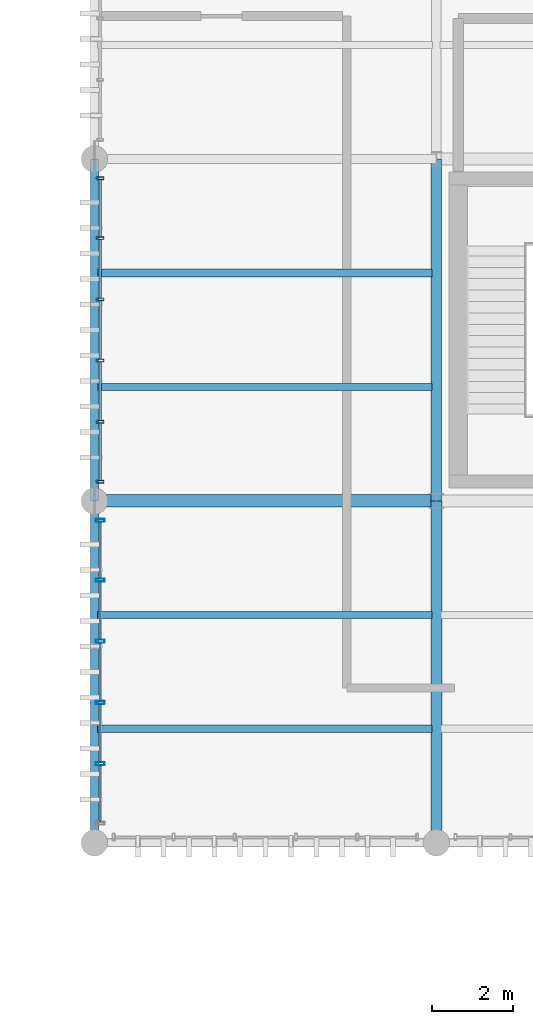
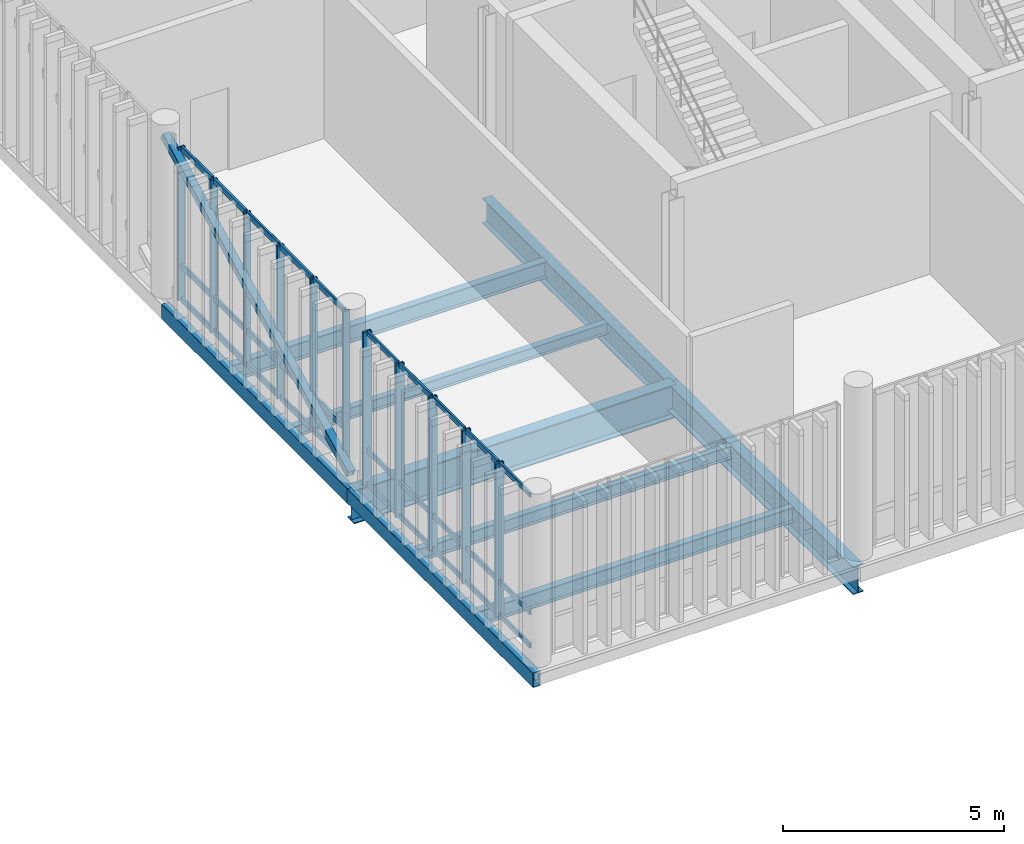
# One storey, part 48 of 86: 42 members, 9 beams, 2 elements without a shape of their own.
"""IFC4 building model written with IfcOpenShell, lengths in metres."""

import ifcopenshell
import ifcopenshell.guid

model = None  # the IFC model being written
_history = None  # IfcOwnerHistory: only IFC2X3 demands one
_inside = {}  # id of a spatial element -> (the spatial element, [elements in it])
_under = {}  # id of a project, library or spatial element -> (it, [spatial elements below it])
_declared = {}  # id of a project -> (the project, [libraries it declares])
_typed = {}  # id of a type object -> (the type object, [elements of that type])
_made_of = {}  # id of a material, layer set ... -> (it, [elements and type objects made of it])


def new_model(schema):
    """Start an empty IFC model of exactly this schema.

    Asked for "IFC4X3", IfcOpenShell would pick the latest addendum, in which some entities
    have other attributes; the version numbers below select the first issue.
    IFC2X3 requires an IfcOwnerHistory on every rooted entity: one is made here for all.
    """
    global model, _history
    if schema == "IFC4X3":
        model = ifcopenshell.file(schema_version=(4, 3, 0, 0))
    else:
        model = ifcopenshell.file(schema=schema)
    _inside.clear()
    _under.clear()
    _declared.clear()
    _typed.clear()
    _made_of.clear()
    _history = None
    if model.schema == "IFC2X3":
        org = make("IfcOrganization", Name="unknown")
        user = make(
            "IfcPersonAndOrganization",
            ThePerson=make("IfcPerson", FamilyName="unknown"),
            TheOrganization=org,
        )
        app = make(
            "IfcApplication",
            ApplicationDeveloper=org,
            Version="unknown",
            ApplicationFullName="unknown",
            ApplicationIdentifier="unknown",
        )
        _history = make(
            "IfcOwnerHistory",
            OwningUser=user,
            OwningApplication=app,
            ChangeAction="ADDED",
            CreationDate=0,
        )
    return model


def make(cls, **values):
    """One entity of the class cls with the attributes given. An attribute that is None is left unset."""
    return model.create_entity(
        cls, **{name: value for name, value in values.items() if value is not None}
    )


def rooted(cls, **values):
    """An entity with a GlobalId (a new one), such as an element, a storey or a relation."""
    return make(cls, GlobalId=ifcopenshell.guid.new(), OwnerHistory=_history, **values)


def si_unit(unit_type, name, prefix=None):
    """IfcSIUnit, for example si_unit("LENGTHUNIT", "METRE", prefix="MILLI")."""
    return make("IfcSIUnit", UnitType=unit_type, Prefix=prefix, Name=name)


def assignment(units):
    """IfcUnitAssignment: the units of a project."""
    return None if units is None else make("IfcUnitAssignment", Units=units)


def point(xyz):
    """IfcCartesianPoint."""
    return None if xyz is None else make("IfcCartesianPoint", Coordinates=xyz)


def direction(xyz):
    """IfcDirection."""
    return None if xyz is None else make("IfcDirection", DirectionRatios=xyz)


def frame(location, z_axis=None, x_axis=None):
    """IfcAxis2Placement3D, a coordinate frame: its origin and axes. An axis left out is left unset."""
    return make(
        "IfcAxis2Placement3D",
        Location=point(location),
        Axis=direction(z_axis),
        RefDirection=direction(x_axis),
    )


def frame_2d(location, x_axis=None):
    """IfcAxis2Placement2D, a coordinate frame in the plane: its origin and x axis."""
    return make(
        "IfcAxis2Placement2D", Location=point(location), RefDirection=direction(x_axis)
    )


def origin_with_axes():
    """The frame at (0, 0, 0) with the z axis (0, 0, 1) and the x axis (1, 0, 0) written out."""
    return frame((0.0, 0.0, 0.0), z_axis=(0.0, 0.0, 1.0), x_axis=(1.0, 0.0, 0.0))


def origin_2d_with_axis():
    """The frame at (0, 0) in the plane with the x axis (1, 0) written out."""
    return frame_2d((0.0, 0.0), x_axis=(1.0, 0.0))


def place(relative_to, where):
    """IfcLocalPlacement: puts the frame where relative to a parent placement (None: the world)."""
    return make(
        "IfcLocalPlacement", PlacementRelTo=relative_to, RelativePlacement=where
    )


def context(
    kind, dimensions, precision=None, world=None, true_north=None, identifier=None
):
    """IfcGeometricRepresentationContext, for example the 3D "Model" context."""
    return make(
        "IfcGeometricRepresentationContext",
        ContextIdentifier=identifier,
        ContextType=kind,
        CoordinateSpaceDimension=dimensions,
        Precision=precision,
        WorldCoordinateSystem=world,
        TrueNorth=true_north,
    )


def subcontext(parent, identifier, kind, view, scale=None):
    """IfcGeometricRepresentationSubContext, for example "Body" below "Model"."""
    return make(
        "IfcGeometricRepresentationSubContext",
        ContextIdentifier=identifier,
        ContextType=kind,
        ParentContext=parent,
        TargetScale=scale,
        TargetView=view,
    )


def project(units=None, contexts=None):
    """IfcProject with its units and contexts."""
    return rooted(
        "IfcProject",
        Name="project",
        RepresentationContexts=contexts,
        UnitsInContext=assignment(units),
    )


def spatial(cls, under=None, at=None, **own):
    """A site, building, storey or space (cls), placed at a placement, below another one or the project."""
    s = rooted(cls, ObjectPlacement=at, **own)
    if under is not None:
        _under.setdefault(under.id(), (under, []))[1].append(s)
    return s


def profile(cls, at=None, kind="AREA", **sizes):
    """A parametric profile (cls). Its sizes go by their IFC names, for example OverallWidth=200.0."""
    return make(cls, ProfileType=kind, Position=at, **sizes)


def hollow_rectangle(**sizes):
    """IfcRectangleHollowProfileDef."""
    return profile("IfcRectangleHollowProfileDef", **sizes)


def i_section(**sizes):
    """IfcIShapeProfileDef."""
    return profile("IfcIShapeProfileDef", **sizes)


def extrude(swept, where, along, depth):
    """IfcExtrudedAreaSolid: the profile swept, set in the frame where, extruded along a direction by depth."""
    return make(
        "IfcExtrudedAreaSolid",
        SweptArea=swept,
        Position=where,
        ExtrudedDirection=direction(along),
        Depth=depth,
    )


def shape(context_of_items, identifier, shape_type, items):
    """IfcShapeRepresentation: the items that make up one representation, for example the "Body"."""
    return make(
        "IfcShapeRepresentation",
        ContextOfItems=context_of_items,
        RepresentationIdentifier=identifier,
        RepresentationType=shape_type,
        Items=items,
    )


def material(Name=None, Category=None):
    """IfcMaterial."""
    return make("IfcMaterial", Name=Name, Category=Category)


def material_profile(
    of_material, cross_section, Name=None, Category=None, Priority=None
):
    """IfcMaterialProfile: a cross section and its material."""
    return make(
        "IfcMaterialProfile",
        Name=Name,
        Material=of_material,
        Profile=cross_section,
        Priority=Priority,
        Category=Category,
    )


def profile_set(profiles, Name=None, composite=None):
    """IfcMaterialProfileSet."""
    return make(
        "IfcMaterialProfileSet",
        Name=Name,
        MaterialProfiles=profiles,
        CompositeProfile=composite,
    )


def made_of(thing, what):
    """Note that an element or type object is made of a material, layer set ...; save() writes the relation."""
    if what is not None:
        _made_of.setdefault(what.id(), (what, []))[1].append(thing)
    return thing


def type_object(cls, material=None, **own):
    """A type object (cls), such as IfcWallType, which elements share."""
    return made_of(rooted(cls, **own), material)


def element(
    cls,
    number,
    at=None,
    inside=None,
    cuts=None,
    type_object=None,
    material=None,
    context=None,
    identifier="Body",
    shape_type=None,
    held_by="IfcProductDefinitionShape",
    body=None,
    shapes=None,
    **own,
):
    """One element of the class cls, such as IfcWall. Its Tag is "e" and its number.

    at: its placement. inside: the storey or other place that contains it. cuts: it is an
    opening in that element (IfcRelVoidsElement). A single representation is given by context,
    identifier, shape_type and body (its items); several are given by shapes. held_by: the class
    of the entity that holds the representations. save() writes the other relations.
    """
    e = rooted(cls, Tag="e%d" % number, ObjectPlacement=at, **own)
    if body is not None:
        shapes = [shape(context, identifier, shape_type, body)]
    if shapes is not None:
        e.Representation = make(held_by, Representations=shapes)
    if inside is not None:
        _inside.setdefault(inside.id(), (inside, []))[1].append(e)
    if cuts is not None:
        rooted(
            "IfcRelVoidsElement", RelatingBuildingElement=cuts, RelatedOpeningElement=e
        )
    if type_object is not None:
        _typed.setdefault(type_object.id(), (type_object, []))[1].append(e)
    return made_of(e, material)


def aggregate(whole, parts):
    """IfcRelAggregates: a whole, such as a stair, and the parts it consists of."""
    return rooted("IfcRelAggregates", RelatingObject=whole, RelatedObjects=parts)


def save(model, path):
    """Write the relations noted so far, then the file.

    IfcRelAggregates (storeys below a building ...), IfcRelContainedInSpatialStructure (elements
    in a storey), IfcRelDefinesByType, IfcRelAssociatesMaterial and IfcRelDeclares: one each for
    every whole, place, type object, material and project.
    """
    for whole, parts in _under.values():
        aggregate(whole, parts)
    for where, things in _inside.values():
        rooted(
            "IfcRelContainedInSpatialStructure",
            RelatedElements=things,
            RelatingStructure=where,
        )
    for kind, things in _typed.values():
        rooted("IfcRelDefinesByType", RelatedObjects=things, RelatingType=kind)
    for what, things in _made_of.values():
        rooted("IfcRelAssociatesMaterial", RelatedObjects=things, RelatingMaterial=what)
    for by, libraries in _declared.values():
        rooted("IfcRelDeclares", RelatingContext=by, RelatedDefinitions=libraries)
    model.write(path)


model = new_model("IFC4")

# Units and contexts
model_context = context("Model", 3, precision=1e-05, world=origin_with_axes(), true_north=direction((0.0, 1.0)))
body_context = subcontext(model_context, "Body", "Model", "MODEL_VIEW")
ifc_project = project(units=[si_unit("LENGTHUNIT", "METRE"), si_unit("AREAUNIT", "SQUARE_METRE"), si_unit("VOLUMEUNIT", "CUBIC_METRE"), si_unit("PLANEANGLEUNIT", "RADIAN"), si_unit("MASSUNIT", "GRAM", prefix="KILO"), si_unit("THERMODYNAMICTEMPERATUREUNIT", "KELVIN")], contexts=[model_context])

# Site, building, storey
site_placement = place(None, origin_with_axes())
site = spatial("IfcSite", under=ifc_project, at=site_placement, CompositionType="ELEMENT")
building_placement = place(site_placement, origin_with_axes())
building = spatial("IfcBuilding", under=site, at=building_placement, Name="Montbau Bow Law Courts", CompositionType="ELEMENT")
storey_placement = place(building_placement, frame((0.0, 0.0, 29.7), z_axis=(0.0, 0.0, 1.0), x_axis=(1.0, 0.0, 0.0)))
storey = spatial("IfcBuildingStorey", under=building, at=storey_placement, Name="L06", CompositionType="ELEMENT", Elevation=29.7)

# Beams
ifc_material_1 = material(Name="Steel CSA G40.21 Grade 350W (350 MPa)", Category="steel")
ifc_material_profile_1 = material_profile(ifc_material_1, i_section(OverallWidth=0.306, OverallDepth=0.919, WebThickness=0.0173, FlangeThickness=0.0279, at=origin_2d_with_axis()), Name="W920X253", Category="Main", Priority=0)
ifc_profile_set_1 = profile_set([ifc_material_profile_1], Name="Steel CSA G40.21 Grade 350W (350 MPa)")
beam_type_1 = type_object("IfcBeamType", Name="B-FLR-01", PredefinedType="BEAM", material=ifc_profile_set_1)
beam_1_placement = place(None, frame((138.6, 86.4, 28.901), z_axis=(1.0, 0.0, 0.0), x_axis=(0.0, 1.0, 0.0)))
element("IfcBeam", 1, at=beam_1_placement, inside=storey, type_object=beam_type_1, Name="BM-L06-S1302:bm2_1305", PredefinedType="BEAM", context=body_context, shape_type="SweptSolid", body=[
    extrude(i_section(OverallWidth=0.306, OverallDepth=0.919, WebThickness=0.0173, FlangeThickness=0.0279, at=origin_2d_with_axis()), origin_with_axes(), (0.0, 0.0, 1.0), 8.4),
])
ifc_material_profile_2 = material_profile(ifc_material_1, i_section(OverallWidth=0.267, OverallDepth=0.766, WebThickness=0.0149, FlangeThickness=0.0236, at=origin_2d_with_axis()), Name="W760X185", Category="Main", Priority=0)
ifc_profile_set_2 = profile_set([ifc_material_profile_2], Name="Steel CSA G40.21 Grade 350W (350 MPa)")
beam_type_2 = type_object("IfcBeamType", Name="B-FLR-03", PredefinedType="BEAM", material=ifc_profile_set_2)
beam_2_placement = place(None, frame((147.0, 78.0, 28.977), z_axis=(0.0, 1.0, 0.0), x_axis=(-1.0, 0.0, 0.0)))
element("IfcBeam", 2, at=beam_2_placement, inside=storey, type_object=beam_type_2, Name="BM-L06-S1322:bm2_1325", PredefinedType="BEAM", context=body_context, shape_type="SweptSolid", body=[
    extrude(i_section(OverallWidth=0.267, OverallDepth=0.766, WebThickness=0.0149, FlangeThickness=0.0236, at=origin_2d_with_axis()), origin_with_axes(), (0.0, 0.0, 1.0), 8.4),
])
ifc_material_profile_3 = material_profile(ifc_material_1, i_section(OverallWidth=0.254, OverallDepth=0.688, WebThickness=0.0131, FlangeThickness=0.0211, at=origin_2d_with_axis()), Name="W690X152", Category="Main", Priority=0)
ifc_profile_set_3 = profile_set([ifc_material_profile_3], Name="Steel CSA G40.21 Grade 350W (350 MPa)")
beam_type_3 = type_object("IfcBeamType", Name="B-FLR-04", PredefinedType="BEAM", material=ifc_profile_set_3)
beam_3_placement = place(None, frame((147.0, 86.4, 29.016), z_axis=(0.0, 1.0, 0.0), x_axis=(-1.0, 0.0, 0.0)))
element("IfcBeam", 3, at=beam_3_placement, inside=storey, type_object=beam_type_3, Name="BM-L06-S1323:bm2_1326", PredefinedType="BEAM", context=body_context, shape_type="SweptSolid", body=[
    extrude(i_section(OverallWidth=0.254, OverallDepth=0.688, WebThickness=0.0131, FlangeThickness=0.0211, at=origin_2d_with_axis()), origin_with_axes(), (0.0, 0.0, 1.0), 8.4),
])
ifc_material_profile_4 = material_profile(ifc_material_1, i_section(OverallWidth=0.191, OverallDepth=0.46, WebThickness=0.0099, FlangeThickness=0.016, at=origin_2d_with_axis()), Name="W460X82", Category="Main", Priority=0)
ifc_profile_set_4 = profile_set([ifc_material_profile_4], Name="Steel CSA G40.21 Grade 350W (350 MPa)")
beam_type_4 = type_object("IfcBeamType", Name="B-JST-01", PredefinedType="JOIST", material=ifc_profile_set_4)
beam_4_placement = place(None, frame((138.68, 92.0, 29.13), z_axis=(1.0, 0.0, 0.0), x_axis=(0.0, 1.0, 0.0)))
element("IfcBeam", 4, at=beam_4_placement, inside=storey, type_object=beam_type_4, Name="JST-L06-S0712:jst2_0712", PredefinedType="JOIST", context=body_context, shape_type="SweptSolid", body=[
    extrude(i_section(OverallWidth=0.191, OverallDepth=0.46, WebThickness=0.0099, FlangeThickness=0.016, at=origin_2d_with_axis()), origin_with_axes(), (0.0, 0.0, 1.0), 8.217),
])
ifc_material_profile_5 = material_profile(ifc_material_1, i_section(OverallWidth=0.179, OverallDepth=0.41, WebThickness=0.0088, FlangeThickness=0.0144, at=origin_2d_with_axis()), Name="W410X67", Category="Main", Priority=0)
ifc_profile_set_5 = profile_set([ifc_material_profile_5], Name="Steel CSA G40.21 Grade 350W (350 MPa)")
beam_type_5 = type_object("IfcBeamType", Name="B-JST-02", PredefinedType="JOIST", material=ifc_profile_set_5)
beam_5_placement = place(None, frame((138.68, 80.8, 29.155), z_axis=(1.0, 0.0, 0.0), x_axis=(0.0, 1.0, 0.0)))
element("IfcBeam", 5, at=beam_5_placement, inside=storey, type_object=beam_type_5, Name="JST-L06-S0709:jst2_0709", PredefinedType="JOIST", context=body_context, shape_type="SweptSolid", body=[
    extrude(i_section(OverallWidth=0.179, OverallDepth=0.41, WebThickness=0.0088, FlangeThickness=0.0144, at=origin_2d_with_axis()), origin_with_axes(), (0.0, 0.0, 1.0), 8.211),
])
ifc_material_profile_6 = material_profile(ifc_material_1, i_section(OverallWidth=0.172, OverallDepth=0.358, WebThickness=0.0079, FlangeThickness=0.0131, at=origin_2d_with_axis()), Name="W360X57", Category="Main", Priority=0)
ifc_profile_set_6 = profile_set([ifc_material_profile_6], Name="Steel CSA G40.21 Grade 350W (350 MPa)")
beam_type_6 = type_object("IfcBeamType", Name="B-JST-03", PredefinedType="JOIST", material=ifc_profile_set_6)
beam_6_placement = place(None, frame((138.68, 83.6, 29.181), z_axis=(1.0, 0.0, 0.0), x_axis=(0.0, 1.0, 0.0)))
element("IfcBeam", 6, at=beam_6_placement, inside=storey, type_object=beam_type_6, Name="JST-L06-S0710:jst2_0710", PredefinedType="JOIST", context=body_context, shape_type="SweptSolid", body=[
    extrude(i_section(OverallWidth=0.172, OverallDepth=0.358, WebThickness=0.0079, FlangeThickness=0.0131, at=origin_2d_with_axis()), origin_with_axes(), (0.0, 0.0, 1.0), 8.211),
])
ifc_material_profile_7 = material_profile(ifc_material_1, i_section(OverallWidth=0.166, OverallDepth=0.313, WebThickness=0.0066, FlangeThickness=0.0112, at=origin_2d_with_axis()), Name="W310X45", Category="Main", Priority=0)
ifc_profile_set_7 = profile_set([ifc_material_profile_7], Name="Steel CSA G40.21 Grade 350W (350 MPa)")
beam_type_7 = type_object("IfcBeamType", Name="B-JST-04", PredefinedType="JOIST", material=ifc_profile_set_7)
beam_7_placement = place(None, frame((138.68, 89.2, 29.203), z_axis=(1.0, 0.0, 0.0), x_axis=(0.0, 1.0, 0.0)))
element("IfcBeam", 7, at=beam_7_placement, inside=storey, type_object=beam_type_7, Name="JST-L06-S0711:jst2_0711", PredefinedType="JOIST", context=body_context, shape_type="SweptSolid", body=[
    extrude(i_section(OverallWidth=0.166, OverallDepth=0.313, WebThickness=0.0066, FlangeThickness=0.0112, at=origin_2d_with_axis()), origin_with_axes(), (0.0, 0.0, 1.0), 8.217),
])
ifc_material_2 = material(Name="Steel CSA G40.21 Grade 350WT (350 MPa)", Category="steel")
ifc_material_profile_8 = material_profile(ifc_material_2, hollow_rectangle(XDim=0.203, YDim=0.406, WallThickness=0.0127, InnerFilletRadius=0.0254, OuterFilletRadius=0.0127, at=origin_2d_with_axis()), Name="HSS406X203X13", Category="Main", Priority=0)
ifc_profile_set_8 = profile_set([ifc_material_profile_8], Name="Steel CSA G40.21 Grade 350WT (350 MPa)")
beam_type_8 = type_object("IfcBeamType", Name="B-SPN-01", PredefinedType="SPANDREL", material=ifc_profile_set_8)
for number, where, z_axis, x_axis, name in (
    (8, (138.6, 78.0, 29.157), (0.0, 1.0, 0.0), (-1.0, 0.0, 0.0), "SPN-L06-S1318:bm2_1321"),
    (9, (138.6, 86.4, 29.157), (0.0, 1.0, 0.0), (-1.0, 0.0, 0.0), "SPN-L06-S1319:bm2_1322"),
):
    element("IfcBeam", number, at=place(None, frame(where, z_axis=z_axis, x_axis=x_axis)), inside=storey, type_object=beam_type_8, Name=name, PredefinedType="SPANDREL", context=body_context, shape_type="SweptSolid", body=[
        extrude(hollow_rectangle(XDim=0.203, YDim=0.406, WallThickness=0.0127, InnerFilletRadius=0.0254, OuterFilletRadius=0.0127, at=origin_2d_with_axis()), origin_with_axes(), (0.0, 0.0, 1.0), 8.4),
    ])

# Member
ifc_material_profile_9 = material_profile(ifc_material_1, hollow_rectangle(XDim=0.203, YDim=0.203, WallThickness=0.0111, InnerFilletRadius=0.0222, OuterFilletRadius=0.0111, at=origin_2d_with_axis()), Name="HSS203X203X11", Category="Main", Priority=0)
ifc_profile_set_9 = profile_set([ifc_material_profile_9], Name="Steel CSA G40.21 Grade 350W (350 MPa)")
member_type_1 = type_object("IfcMemberType", Name="M-BRC-02", PredefinedType="BRACE", material=ifc_profile_set_9)
member_1_placement = place(None, frame((138.6, 86.4, 29.75), z_axis=(0.0, 0.89199296, 0.452049289), x_axis=(-1.0, 0.0, 0.0)))
element("IfcMember", 10, at=member_1_placement, inside=storey, type_object=member_type_1, Name="Diagonal brace CBF-L06-064A", PredefinedType="BRACE", context=body_context, shape_type="SweptSolid", body=[
    extrude(hollow_rectangle(XDim=0.203, YDim=0.203, WallThickness=0.0111, InnerFilletRadius=0.0222, OuterFilletRadius=0.0111, at=origin_2d_with_axis()), origin_with_axes(), (0.0, 0.0, 1.0), 9.417115),
])

# Curtain wall, members
ifc_material_3 = material(Name="Thermally Broken Extruded Aluminium AA 6063-T6", Category="aluminium")
curtain_wall_type = type_object("IfcCurtainWallType", Name="CW-SLT-02", PredefinedType="NOTDEFINED", material=ifc_material_3)
curtain_wall_1_placement = place(None, frame((138.74, 78.44, 29.7), z_axis=(0.0, 0.0, 1.0), x_axis=(1.0, 0.0, 0.0)))
curtain_wall_1 = element("IfcCurtainWall", 11, at=curtain_wall_1_placement, inside=storey, type_object=curtain_wall_type, Name="CW-L06-357:cw_0357", PredefinedType="NOTDEFINED")
ifc_material_profile_10 = material_profile(ifc_material_3, hollow_rectangle(XDim=0.075, YDim=0.22, WallThickness=0.005, InnerFilletRadius=0.01, OuterFilletRadius=0.005, at=origin_2d_with_axis()), Name="CWM-220X75", Category="Main", Priority=0)
ifc_profile_set_10 = profile_set([ifc_material_profile_10], Name="Thermally Broken Extruded Aluminium AA 6063-T6")
member_type_2 = type_object("IfcMemberType", Name="M-MUL-01", PredefinedType="MULLION", material=ifc_profile_set_10)
member_2_placement = place(None, frame((138.74, 79.944, 29.7), z_axis=(0.0, 0.0, 1.0), x_axis=(0.0, 1.0, 0.0)))
member_2 = element("IfcMember", 12, at=member_2_placement, type_object=member_type_2, Name="CW-L06-357-M02:cw_0357_M02", PredefinedType="MULLION", context=body_context, shape_type="SweptSolid", body=[
    extrude(hollow_rectangle(XDim=0.075, YDim=0.22, WallThickness=0.005, InnerFilletRadius=0.01, OuterFilletRadius=0.005, at=origin_2d_with_axis()), origin_with_axes(), (0.0, 0.0, 1.0), 4.22),
])
member_3_placement = place(None, frame((138.74, 81.448, 29.7), z_axis=(0.0, 0.0, 1.0), x_axis=(0.0, 1.0, 0.0)))
member_3 = element("IfcMember", 13, at=member_3_placement, type_object=member_type_2, Name="CW-L06-357-M03:cw_0357_M03", PredefinedType="MULLION", context=body_context, shape_type="SweptSolid", body=[
    extrude(hollow_rectangle(XDim=0.075, YDim=0.22, WallThickness=0.005, InnerFilletRadius=0.01, OuterFilletRadius=0.005, at=origin_2d_with_axis()), origin_with_axes(), (0.0, 0.0, 1.0), 4.22),
])
member_4_placement = place(None, frame((138.74, 82.952, 29.7), z_axis=(0.0, 0.0, 1.0), x_axis=(0.0, 1.0, 0.0)))
member_4 = element("IfcMember", 14, at=member_4_placement, type_object=member_type_2, Name="CW-L06-357-M04:cw_0357_M04", PredefinedType="MULLION", context=body_context, shape_type="SweptSolid", body=[
    extrude(hollow_rectangle(XDim=0.075, YDim=0.22, WallThickness=0.005, InnerFilletRadius=0.01, OuterFilletRadius=0.005, at=origin_2d_with_axis()), origin_with_axes(), (0.0, 0.0, 1.0), 4.22),
])
member_5_placement = place(None, frame((138.74, 84.456, 29.7), z_axis=(0.0, 0.0, 1.0), x_axis=(0.0, 1.0, 0.0)))
member_5 = element("IfcMember", 15, at=member_5_placement, type_object=member_type_2, Name="CW-L06-357-M05:cw_0357_M05", PredefinedType="MULLION", context=body_context, shape_type="SweptSolid", body=[
    extrude(hollow_rectangle(XDim=0.075, YDim=0.22, WallThickness=0.005, InnerFilletRadius=0.01, OuterFilletRadius=0.005, at=origin_2d_with_axis()), origin_with_axes(), (0.0, 0.0, 1.0), 4.22),
])
member_6_placement = place(None, frame((138.74, 85.922, 29.7), z_axis=(0.0, 0.0, 1.0), x_axis=(0.0, 1.0, 0.0)))
member_6 = element("IfcMember", 16, at=member_6_placement, type_object=member_type_2, Name="CW-L06-357-M06:cw_0357_M06", PredefinedType="MULLION", context=body_context, shape_type="SweptSolid", body=[
    extrude(hollow_rectangle(XDim=0.075, YDim=0.22, WallThickness=0.005, InnerFilletRadius=0.01, OuterFilletRadius=0.005, at=origin_2d_with_axis()), origin_with_axes(), (0.0, 0.0, 1.0), 4.22),
])

curtain_wall_2_placement = place(None, frame((138.74, 86.84, 29.7), z_axis=(0.0, 0.0, 1.0), x_axis=(1.0, 0.0, 0.0)))
curtain_wall_2 = element("IfcCurtainWall", 17, at=curtain_wall_2_placement, inside=storey, type_object=curtain_wall_type, Name="CW-L06-358:cw_0358", PredefinedType="NOTDEFINED")
ifc_material_profile_11 = material_profile(ifc_material_3, hollow_rectangle(XDim=0.065, YDim=0.18, WallThickness=0.005, InnerFilletRadius=0.01, OuterFilletRadius=0.005, at=origin_2d_with_axis()), Name="CWM-180X65", Category="Main", Priority=0)
ifc_profile_set_11 = profile_set([ifc_material_profile_11], Name="Thermally Broken Extruded Aluminium AA 6063-T6")
member_type_3 = type_object("IfcMemberType", Name="M-MUL-02", PredefinedType="MULLION", material=ifc_profile_set_11)
member_7_placement = place(None, frame((138.74, 86.873, 29.7), z_axis=(0.0, 0.0, 1.0), x_axis=(0.0, 1.0, 0.0)))
member_7 = element("IfcMember", 18, at=member_7_placement, type_object=member_type_3, Name="CW-L06-358-M01:cw_0358_M01", PredefinedType="MULLION", context=body_context, shape_type="SweptSolid", body=[
    extrude(hollow_rectangle(XDim=0.065, YDim=0.18, WallThickness=0.005, InnerFilletRadius=0.01, OuterFilletRadius=0.005, at=origin_2d_with_axis()), origin_with_axes(), (0.0, 0.0, 1.0), 4.22),
])
member_8_placement = place(None, frame((138.74, 88.344, 29.7), z_axis=(0.0, 0.0, 1.0), x_axis=(0.0, 1.0, 0.0)))
member_8 = element("IfcMember", 19, at=member_8_placement, type_object=member_type_3, Name="CW-L06-358-M02:cw_0358_M02", PredefinedType="MULLION", context=body_context, shape_type="SweptSolid", body=[
    extrude(hollow_rectangle(XDim=0.065, YDim=0.18, WallThickness=0.005, InnerFilletRadius=0.01, OuterFilletRadius=0.005, at=origin_2d_with_axis()), origin_with_axes(), (0.0, 0.0, 1.0), 4.22),
])
member_9_placement = place(None, frame((138.74, 89.848, 29.7), z_axis=(0.0, 0.0, 1.0), x_axis=(0.0, 1.0, 0.0)))
member_9 = element("IfcMember", 20, at=member_9_placement, type_object=member_type_3, Name="CW-L06-358-M03:cw_0358_M03", PredefinedType="MULLION", context=body_context, shape_type="SweptSolid", body=[
    extrude(hollow_rectangle(XDim=0.065, YDim=0.18, WallThickness=0.005, InnerFilletRadius=0.01, OuterFilletRadius=0.005, at=origin_2d_with_axis()), origin_with_axes(), (0.0, 0.0, 1.0), 4.22),
])
member_10_placement = place(None, frame((138.74, 91.352, 29.7), z_axis=(0.0, 0.0, 1.0), x_axis=(0.0, 1.0, 0.0)))
member_10 = element("IfcMember", 21, at=member_10_placement, type_object=member_type_3, Name="CW-L06-358-M04:cw_0358_M04", PredefinedType="MULLION", context=body_context, shape_type="SweptSolid", body=[
    extrude(hollow_rectangle(XDim=0.065, YDim=0.18, WallThickness=0.005, InnerFilletRadius=0.01, OuterFilletRadius=0.005, at=origin_2d_with_axis()), origin_with_axes(), (0.0, 0.0, 1.0), 4.22),
])
member_11_placement = place(None, frame((138.74, 92.856, 29.7), z_axis=(0.0, 0.0, 1.0), x_axis=(0.0, 1.0, 0.0)))
member_11 = element("IfcMember", 22, at=member_11_placement, type_object=member_type_3, Name="CW-L06-358-M05:cw_0358_M05", PredefinedType="MULLION", context=body_context, shape_type="SweptSolid", body=[
    extrude(hollow_rectangle(XDim=0.065, YDim=0.18, WallThickness=0.005, InnerFilletRadius=0.01, OuterFilletRadius=0.005, at=origin_2d_with_axis()), origin_with_axes(), (0.0, 0.0, 1.0), 4.22),
])
member_12_placement = place(None, frame((138.74, 94.327, 29.7), z_axis=(0.0, 0.0, 1.0), x_axis=(0.0, 1.0, 0.0)))
member_12 = element("IfcMember", 23, at=member_12_placement, type_object=member_type_3, Name="CW-L06-358-M06:cw_0358_M06", PredefinedType="MULLION", context=body_context, shape_type="SweptSolid", body=[
    extrude(hollow_rectangle(XDim=0.065, YDim=0.18, WallThickness=0.005, InnerFilletRadius=0.01, OuterFilletRadius=0.005, at=origin_2d_with_axis()), origin_with_axes(), (0.0, 0.0, 1.0), 4.22),
])
ifc_material_profile_12 = material_profile(ifc_material_3, hollow_rectangle(XDim=0.06, YDim=0.16, WallThickness=0.004, InnerFilletRadius=0.008, OuterFilletRadius=0.004, at=origin_2d_with_axis()), Name="CWT-160X60", Category="Main", Priority=0)
ifc_profile_set_12 = profile_set([ifc_material_profile_12], Name="Thermally Broken Extruded Aluminium AA 6063-T6")
member_type_4 = type_object("IfcMemberType", Name="M-TRN-01", PredefinedType="USERDEFINED", material=ifc_profile_set_12)
member_13_placement = place(None, frame((138.74, 86.908, 29.73), z_axis=(0.0, 1.0, 0.0), x_axis=(-1.0, 0.0, 0.0)))
member_13 = element("IfcMember", 24, at=member_13_placement, type_object=member_type_4, Name="CW-L06-358-T01-1:cw_0358_T01_1", ObjectType="TRANSOM", PredefinedType="USERDEFINED", context=body_context, shape_type="SweptSolid", body=[
    extrude(hollow_rectangle(XDim=0.06, YDim=0.16, WallThickness=0.004, InnerFilletRadius=0.008, OuterFilletRadius=0.004, at=origin_2d_with_axis()), origin_with_axes(), (0.0, 0.0, 1.0), 1.402),
])
member_14_placement = place(None, frame((138.74, 86.908, 30.65), z_axis=(0.0, 1.0, 0.0), x_axis=(-1.0, 0.0, 0.0)))
member_14 = element("IfcMember", 25, at=member_14_placement, type_object=member_type_4, Name="CW-L06-358-T01-2:cw_0358_T01_2", ObjectType="TRANSOM", PredefinedType="USERDEFINED", context=body_context, shape_type="SweptSolid", body=[
    extrude(hollow_rectangle(XDim=0.06, YDim=0.16, WallThickness=0.004, InnerFilletRadius=0.008, OuterFilletRadius=0.004, at=origin_2d_with_axis()), origin_with_axes(), (0.0, 0.0, 1.0), 1.402),
])
member_15_placement = place(None, frame((138.74, 86.908, 33.89), z_axis=(0.0, 1.0, 0.0), x_axis=(-1.0, 0.0, 0.0)))
member_15 = element("IfcMember", 26, at=member_15_placement, type_object=member_type_4, Name="CW-L06-358-T01-3:cw_0358_T01_3", ObjectType="TRANSOM", PredefinedType="USERDEFINED", context=body_context, shape_type="SweptSolid", body=[
    extrude(hollow_rectangle(XDim=0.06, YDim=0.16, WallThickness=0.004, InnerFilletRadius=0.008, OuterFilletRadius=0.004, at=origin_2d_with_axis()), origin_with_axes(), (0.0, 0.0, 1.0), 1.402),
])
member_16_placement = place(None, frame((138.74, 88.378, 29.73), z_axis=(0.0, 1.0, 0.0), x_axis=(-1.0, 0.0, 0.0)))
member_16 = element("IfcMember", 27, at=member_16_placement, type_object=member_type_4, Name="CW-L06-358-T02-1:cw_0358_T02_1", ObjectType="TRANSOM", PredefinedType="USERDEFINED", context=body_context, shape_type="SweptSolid", body=[
    extrude(hollow_rectangle(XDim=0.06, YDim=0.16, WallThickness=0.004, InnerFilletRadius=0.008, OuterFilletRadius=0.004, at=origin_2d_with_axis()), origin_with_axes(), (0.0, 0.0, 1.0), 1.436),
])
member_17_placement = place(None, frame((138.74, 88.378, 30.65), z_axis=(0.0, 1.0, 0.0), x_axis=(-1.0, 0.0, 0.0)))
member_17 = element("IfcMember", 28, at=member_17_placement, type_object=member_type_4, Name="CW-L06-358-T02-2:cw_0358_T02_2", ObjectType="TRANSOM", PredefinedType="USERDEFINED", context=body_context, shape_type="SweptSolid", body=[
    extrude(hollow_rectangle(XDim=0.06, YDim=0.16, WallThickness=0.004, InnerFilletRadius=0.008, OuterFilletRadius=0.004, at=origin_2d_with_axis()), origin_with_axes(), (0.0, 0.0, 1.0), 1.436),
])
member_18_placement = place(None, frame((138.74, 88.378, 33.89), z_axis=(0.0, 1.0, 0.0), x_axis=(-1.0, 0.0, 0.0)))
member_18 = element("IfcMember", 29, at=member_18_placement, type_object=member_type_4, Name="CW-L06-358-T02-3:cw_0358_T02_3", ObjectType="TRANSOM", PredefinedType="USERDEFINED", context=body_context, shape_type="SweptSolid", body=[
    extrude(hollow_rectangle(XDim=0.06, YDim=0.16, WallThickness=0.004, InnerFilletRadius=0.008, OuterFilletRadius=0.004, at=origin_2d_with_axis()), origin_with_axes(), (0.0, 0.0, 1.0), 1.436),
])
member_19_placement = place(None, frame((138.74, 89.882, 29.73), z_axis=(0.0, 1.0, 0.0), x_axis=(-1.0, 0.0, 0.0)))
member_19 = element("IfcMember", 30, at=member_19_placement, type_object=member_type_4, Name="CW-L06-358-T03-1:cw_0358_T03_1", ObjectType="TRANSOM", PredefinedType="USERDEFINED", context=body_context, shape_type="SweptSolid", body=[
    extrude(hollow_rectangle(XDim=0.06, YDim=0.16, WallThickness=0.004, InnerFilletRadius=0.008, OuterFilletRadius=0.004, at=origin_2d_with_axis()), origin_with_axes(), (0.0, 0.0, 1.0), 1.436),
])
member_20_placement = place(None, frame((138.74, 89.882, 30.65), z_axis=(0.0, 1.0, 0.0), x_axis=(-1.0, 0.0, 0.0)))
member_20 = element("IfcMember", 31, at=member_20_placement, type_object=member_type_4, Name="CW-L06-358-T03-2:cw_0358_T03_2", ObjectType="TRANSOM", PredefinedType="USERDEFINED", context=body_context, shape_type="SweptSolid", body=[
    extrude(hollow_rectangle(XDim=0.06, YDim=0.16, WallThickness=0.004, InnerFilletRadius=0.008, OuterFilletRadius=0.004, at=origin_2d_with_axis()), origin_with_axes(), (0.0, 0.0, 1.0), 1.436),
])
member_21_placement = place(None, frame((138.74, 89.882, 33.89), z_axis=(0.0, 1.0, 0.0), x_axis=(-1.0, 0.0, 0.0)))
member_21 = element("IfcMember", 32, at=member_21_placement, type_object=member_type_4, Name="CW-L06-358-T03-3:cw_0358_T03_3", ObjectType="TRANSOM", PredefinedType="USERDEFINED", context=body_context, shape_type="SweptSolid", body=[
    extrude(hollow_rectangle(XDim=0.06, YDim=0.16, WallThickness=0.004, InnerFilletRadius=0.008, OuterFilletRadius=0.004, at=origin_2d_with_axis()), origin_with_axes(), (0.0, 0.0, 1.0), 1.436),
])
member_22_placement = place(None, frame((138.74, 91.386, 29.73), z_axis=(0.0, 1.0, 0.0), x_axis=(-1.0, 0.0, 0.0)))
member_22 = element("IfcMember", 33, at=member_22_placement, type_object=member_type_4, Name="CW-L06-358-T04-1:cw_0358_T04_1", ObjectType="TRANSOM", PredefinedType="USERDEFINED", context=body_context, shape_type="SweptSolid", body=[
    extrude(hollow_rectangle(XDim=0.06, YDim=0.16, WallThickness=0.004, InnerFilletRadius=0.008, OuterFilletRadius=0.004, at=origin_2d_with_axis()), origin_with_axes(), (0.0, 0.0, 1.0), 1.436),
])
member_23_placement = place(None, frame((138.74, 91.386, 30.65), z_axis=(0.0, 1.0, 0.0), x_axis=(-1.0, 0.0, 0.0)))
member_23 = element("IfcMember", 34, at=member_23_placement, type_object=member_type_4, Name="CW-L06-358-T04-2:cw_0358_T04_2", ObjectType="TRANSOM", PredefinedType="USERDEFINED", context=body_context, shape_type="SweptSolid", body=[
    extrude(hollow_rectangle(XDim=0.06, YDim=0.16, WallThickness=0.004, InnerFilletRadius=0.008, OuterFilletRadius=0.004, at=origin_2d_with_axis()), origin_with_axes(), (0.0, 0.0, 1.0), 1.436),
])
member_24_placement = place(None, frame((138.74, 91.386, 33.89), z_axis=(0.0, 1.0, 0.0), x_axis=(-1.0, 0.0, 0.0)))
member_24 = element("IfcMember", 35, at=member_24_placement, type_object=member_type_4, Name="CW-L06-358-T04-3:cw_0358_T04_3", ObjectType="TRANSOM", PredefinedType="USERDEFINED", context=body_context, shape_type="SweptSolid", body=[
    extrude(hollow_rectangle(XDim=0.06, YDim=0.16, WallThickness=0.004, InnerFilletRadius=0.008, OuterFilletRadius=0.004, at=origin_2d_with_axis()), origin_with_axes(), (0.0, 0.0, 1.0), 1.436),
])
member_25_placement = place(None, frame((138.74, 92.89, 29.73), z_axis=(0.0, 1.0, 0.0), x_axis=(-1.0, 0.0, 0.0)))
member_25 = element("IfcMember", 36, at=member_25_placement, type_object=member_type_4, Name="CW-L06-358-T05-1:cw_0358_T05_1", ObjectType="TRANSOM", PredefinedType="USERDEFINED", context=body_context, shape_type="SweptSolid", body=[
    extrude(hollow_rectangle(XDim=0.06, YDim=0.16, WallThickness=0.004, InnerFilletRadius=0.008, OuterFilletRadius=0.004, at=origin_2d_with_axis()), origin_with_axes(), (0.0, 0.0, 1.0), 1.403),
])
member_26_placement = place(None, frame((138.74, 92.89, 30.65), z_axis=(0.0, 1.0, 0.0), x_axis=(-1.0, 0.0, 0.0)))
member_26 = element("IfcMember", 37, at=member_26_placement, type_object=member_type_4, Name="CW-L06-358-T05-2:cw_0358_T05_2", ObjectType="TRANSOM", PredefinedType="USERDEFINED", context=body_context, shape_type="SweptSolid", body=[
    extrude(hollow_rectangle(XDim=0.06, YDim=0.16, WallThickness=0.004, InnerFilletRadius=0.008, OuterFilletRadius=0.004, at=origin_2d_with_axis()), origin_with_axes(), (0.0, 0.0, 1.0), 1.403),
])
member_27_placement = place(None, frame((138.74, 92.89, 33.89), z_axis=(0.0, 1.0, 0.0), x_axis=(-1.0, 0.0, 0.0)))
member_27 = element("IfcMember", 38, at=member_27_placement, type_object=member_type_4, Name="CW-L06-358-T05-3:cw_0358_T05_3", ObjectType="TRANSOM", PredefinedType="USERDEFINED", context=body_context, shape_type="SweptSolid", body=[
    extrude(hollow_rectangle(XDim=0.06, YDim=0.16, WallThickness=0.004, InnerFilletRadius=0.008, OuterFilletRadius=0.004, at=origin_2d_with_axis()), origin_with_axes(), (0.0, 0.0, 1.0), 1.403),
])
aggregate(curtain_wall_2, [member_7, member_8, member_9, member_10, member_11, member_12, member_13, member_14, member_15, member_16, member_17, member_18, member_19, member_20, member_21, member_22, member_23, member_24, member_25, member_26, member_27])

# Member
ifc_material_profile_13 = material_profile(ifc_material_3, hollow_rectangle(XDim=0.055, YDim=0.14, WallThickness=0.004, InnerFilletRadius=0.008, OuterFilletRadius=0.004, at=origin_2d_with_axis()), Name="CWT-140X55", Category="Main", Priority=0)
ifc_profile_set_13 = profile_set([ifc_material_profile_13], Name="Thermally Broken Extruded Aluminium AA 6063-T6")
member_type_5 = type_object("IfcMemberType", Name="M-TRN-02", PredefinedType="USERDEFINED", material=ifc_profile_set_13)
member_28_placement = place(None, frame((138.74, 78.516, 29.727), z_axis=(0.0, 1.0, 0.0), x_axis=(-1.0, 0.0, 0.0)))
member_28 = element("IfcMember", 39, at=member_28_placement, type_object=member_type_5, Name="CW-L06-357-T01-1:cw_0357_T01_1", ObjectType="TRANSOM", PredefinedType="USERDEFINED", context=body_context, shape_type="SweptSolid", body=[
    extrude(hollow_rectangle(XDim=0.055, YDim=0.14, WallThickness=0.004, InnerFilletRadius=0.008, OuterFilletRadius=0.004, at=origin_2d_with_axis()), origin_with_axes(), (0.0, 0.0, 1.0), 1.388),
])

member_29_placement = place(None, frame((138.74, 78.516, 30.65), z_axis=(0.0, 1.0, 0.0), x_axis=(-1.0, 0.0, 0.0)))
member_29 = element("IfcMember", 40, at=member_29_placement, type_object=member_type_5, Name="CW-L06-357-T01-2:cw_0357_T01_2", ObjectType="TRANSOM", PredefinedType="USERDEFINED", context=body_context, shape_type="SweptSolid", body=[
    extrude(hollow_rectangle(XDim=0.055, YDim=0.14, WallThickness=0.004, InnerFilletRadius=0.008, OuterFilletRadius=0.004, at=origin_2d_with_axis()), origin_with_axes(), (0.0, 0.0, 1.0), 1.388),
])

member_30_placement = place(None, frame((138.74, 78.516, 33.892), z_axis=(0.0, 1.0, 0.0), x_axis=(-1.0, 0.0, 0.0)))
member_30 = element("IfcMember", 41, at=member_30_placement, type_object=member_type_5, Name="CW-L06-357-T01-3:cw_0357_T01_3", ObjectType="TRANSOM", PredefinedType="USERDEFINED", context=body_context, shape_type="SweptSolid", body=[
    extrude(hollow_rectangle(XDim=0.055, YDim=0.14, WallThickness=0.004, InnerFilletRadius=0.008, OuterFilletRadius=0.004, at=origin_2d_with_axis()), origin_with_axes(), (0.0, 0.0, 1.0), 1.388),
])

member_31_placement = place(None, frame((138.74, 79.984, 29.727), z_axis=(0.0, 1.0, 0.0), x_axis=(-1.0, 0.0, 0.0)))
member_31 = element("IfcMember", 42, at=member_31_placement, type_object=member_type_5, Name="CW-L06-357-T02-1:cw_0357_T02_1", ObjectType="TRANSOM", PredefinedType="USERDEFINED", context=body_context, shape_type="SweptSolid", body=[
    extrude(hollow_rectangle(XDim=0.055, YDim=0.14, WallThickness=0.004, InnerFilletRadius=0.008, OuterFilletRadius=0.004, at=origin_2d_with_axis()), origin_with_axes(), (0.0, 0.0, 1.0), 1.425),
])

member_32_placement = place(None, frame((138.74, 79.984, 30.65), z_axis=(0.0, 1.0, 0.0), x_axis=(-1.0, 0.0, 0.0)))
member_32 = element("IfcMember", 43, at=member_32_placement, type_object=member_type_5, Name="CW-L06-357-T02-2:cw_0357_T02_2", ObjectType="TRANSOM", PredefinedType="USERDEFINED", context=body_context, shape_type="SweptSolid", body=[
    extrude(hollow_rectangle(XDim=0.055, YDim=0.14, WallThickness=0.004, InnerFilletRadius=0.008, OuterFilletRadius=0.004, at=origin_2d_with_axis()), origin_with_axes(), (0.0, 0.0, 1.0), 1.425),
])

member_33_placement = place(None, frame((138.74, 79.984, 33.892), z_axis=(0.0, 1.0, 0.0), x_axis=(-1.0, 0.0, 0.0)))
member_33 = element("IfcMember", 44, at=member_33_placement, type_object=member_type_5, Name="CW-L06-357-T02-3:cw_0357_T02_3", ObjectType="TRANSOM", PredefinedType="USERDEFINED", context=body_context, shape_type="SweptSolid", body=[
    extrude(hollow_rectangle(XDim=0.055, YDim=0.14, WallThickness=0.004, InnerFilletRadius=0.008, OuterFilletRadius=0.004, at=origin_2d_with_axis()), origin_with_axes(), (0.0, 0.0, 1.0), 1.425),
])

member_34_placement = place(None, frame((138.74, 81.487, 29.727), z_axis=(0.0, 1.0, 0.0), x_axis=(-1.0, 0.0, 0.0)))
member_34 = element("IfcMember", 45, at=member_34_placement, type_object=member_type_5, Name="CW-L06-357-T03-1:cw_0357_T03_1", ObjectType="TRANSOM", PredefinedType="USERDEFINED", context=body_context, shape_type="SweptSolid", body=[
    extrude(hollow_rectangle(XDim=0.055, YDim=0.14, WallThickness=0.004, InnerFilletRadius=0.008, OuterFilletRadius=0.004, at=origin_2d_with_axis()), origin_with_axes(), (0.0, 0.0, 1.0), 1.426),
])

member_35_placement = place(None, frame((138.74, 81.487, 30.65), z_axis=(0.0, 1.0, 0.0), x_axis=(-1.0, 0.0, 0.0)))
member_35 = element("IfcMember", 46, at=member_35_placement, type_object=member_type_5, Name="CW-L06-357-T03-2:cw_0357_T03_2", ObjectType="TRANSOM", PredefinedType="USERDEFINED", context=body_context, shape_type="SweptSolid", body=[
    extrude(hollow_rectangle(XDim=0.055, YDim=0.14, WallThickness=0.004, InnerFilletRadius=0.008, OuterFilletRadius=0.004, at=origin_2d_with_axis()), origin_with_axes(), (0.0, 0.0, 1.0), 1.426),
])

member_36_placement = place(None, frame((138.74, 81.487, 33.892), z_axis=(0.0, 1.0, 0.0), x_axis=(-1.0, 0.0, 0.0)))
member_36 = element("IfcMember", 47, at=member_36_placement, type_object=member_type_5, Name="CW-L06-357-T03-3:cw_0357_T03_3", ObjectType="TRANSOM", PredefinedType="USERDEFINED", context=body_context, shape_type="SweptSolid", body=[
    extrude(hollow_rectangle(XDim=0.055, YDim=0.14, WallThickness=0.004, InnerFilletRadius=0.008, OuterFilletRadius=0.004, at=origin_2d_with_axis()), origin_with_axes(), (0.0, 0.0, 1.0), 1.426),
])

member_37_placement = place(None, frame((138.74, 82.991, 29.727), z_axis=(0.0, 1.0, 0.0), x_axis=(-1.0, 0.0, 0.0)))
member_37 = element("IfcMember", 48, at=member_37_placement, type_object=member_type_5, Name="CW-L06-357-T04-1:cw_0357_T04_1", ObjectType="TRANSOM", PredefinedType="USERDEFINED", context=body_context, shape_type="SweptSolid", body=[
    extrude(hollow_rectangle(XDim=0.055, YDim=0.14, WallThickness=0.004, InnerFilletRadius=0.008, OuterFilletRadius=0.004, at=origin_2d_with_axis()), origin_with_axes(), (0.0, 0.0, 1.0), 1.426),
])

member_38_placement = place(None, frame((138.74, 82.991, 30.65), z_axis=(0.0, 1.0, 0.0), x_axis=(-1.0, 0.0, 0.0)))
member_38 = element("IfcMember", 49, at=member_38_placement, type_object=member_type_5, Name="CW-L06-357-T04-2:cw_0357_T04_2", ObjectType="TRANSOM", PredefinedType="USERDEFINED", context=body_context, shape_type="SweptSolid", body=[
    extrude(hollow_rectangle(XDim=0.055, YDim=0.14, WallThickness=0.004, InnerFilletRadius=0.008, OuterFilletRadius=0.004, at=origin_2d_with_axis()), origin_with_axes(), (0.0, 0.0, 1.0), 1.426),
])

member_39_placement = place(None, frame((138.74, 82.991, 33.892), z_axis=(0.0, 1.0, 0.0), x_axis=(-1.0, 0.0, 0.0)))
member_39 = element("IfcMember", 50, at=member_39_placement, type_object=member_type_5, Name="CW-L06-357-T04-3:cw_0357_T04_3", ObjectType="TRANSOM", PredefinedType="USERDEFINED", context=body_context, shape_type="SweptSolid", body=[
    extrude(hollow_rectangle(XDim=0.055, YDim=0.14, WallThickness=0.004, InnerFilletRadius=0.008, OuterFilletRadius=0.004, at=origin_2d_with_axis()), origin_with_axes(), (0.0, 0.0, 1.0), 1.426),
])

member_40_placement = place(None, frame((138.74, 84.495, 29.727), z_axis=(0.0, 1.0, 0.0), x_axis=(-1.0, 0.0, 0.0)))
member_40 = element("IfcMember", 51, at=member_40_placement, type_object=member_type_5, Name="CW-L06-357-T05-1:cw_0357_T05_1", ObjectType="TRANSOM", PredefinedType="USERDEFINED", context=body_context, shape_type="SweptSolid", body=[
    extrude(hollow_rectangle(XDim=0.055, YDim=0.14, WallThickness=0.004, InnerFilletRadius=0.008, OuterFilletRadius=0.004, at=origin_2d_with_axis()), origin_with_axes(), (0.0, 0.0, 1.0), 1.388),
])

member_41_placement = place(None, frame((138.74, 84.495, 30.65), z_axis=(0.0, 1.0, 0.0), x_axis=(-1.0, 0.0, 0.0)))
member_41 = element("IfcMember", 52, at=member_41_placement, type_object=member_type_5, Name="CW-L06-357-T05-2:cw_0357_T05_2", ObjectType="TRANSOM", PredefinedType="USERDEFINED", context=body_context, shape_type="SweptSolid", body=[
    extrude(hollow_rectangle(XDim=0.055, YDim=0.14, WallThickness=0.004, InnerFilletRadius=0.008, OuterFilletRadius=0.004, at=origin_2d_with_axis()), origin_with_axes(), (0.0, 0.0, 1.0), 1.388),
])

member_42_placement = place(None, frame((138.74, 84.495, 33.892), z_axis=(0.0, 1.0, 0.0), x_axis=(-1.0, 0.0, 0.0)))
member_42 = element("IfcMember", 53, at=member_42_placement, type_object=member_type_5, Name="CW-L06-357-T05-3:cw_0357_T05_3", ObjectType="TRANSOM", PredefinedType="USERDEFINED", context=body_context, shape_type="SweptSolid", body=[
    extrude(hollow_rectangle(XDim=0.055, YDim=0.14, WallThickness=0.004, InnerFilletRadius=0.008, OuterFilletRadius=0.004, at=origin_2d_with_axis()), origin_with_axes(), (0.0, 0.0, 1.0), 1.388),
])

aggregate(curtain_wall_1, [member_2, member_3, member_4, member_5, member_6, member_28, member_29, member_30, member_31, member_32, member_33, member_34, member_35, member_36, member_37, member_38, member_39, member_40, member_41, member_42])

save(model, "model.ifc")
